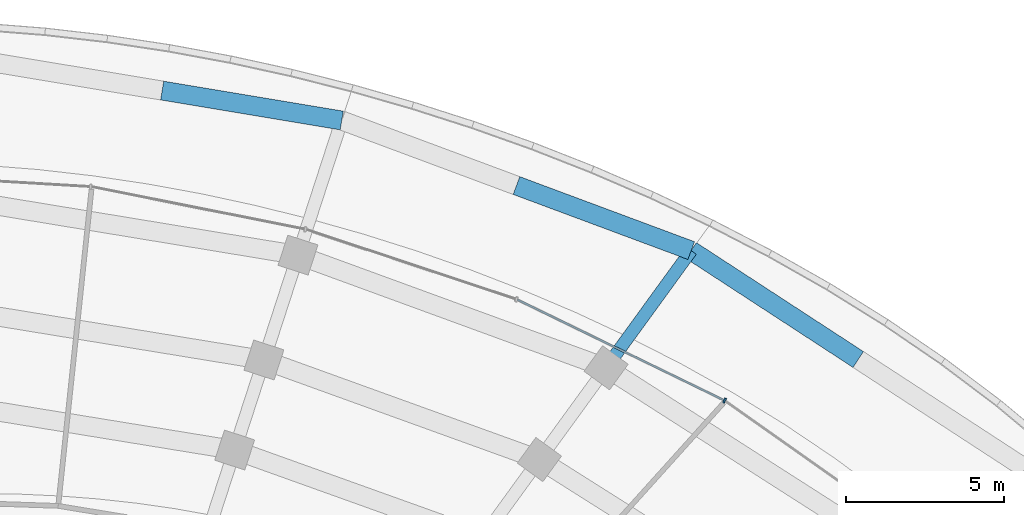
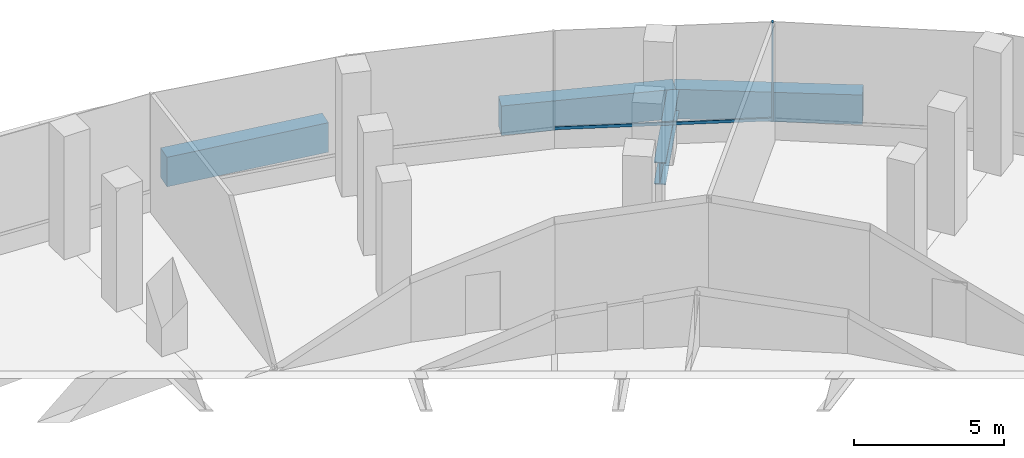
# One storey, part 18 of 31: 4 beams, 2 members, 1 element without a shape of its own.
"""IFC4 building model written with IfcOpenShell, lengths in metres."""

from ifc_helpers import new_model, si_unit, direction, frame, origin, origin_2d, place, context, subcontext, project, spatial, rectangle, i_section, extrude, material, material_profile, profile_set, type_object, element, aggregate, save


model = new_model("IFC4")

# Units and contexts
model_context = context("Model", 3, precision=1e-05, world=origin(), true_north=direction((0.0, 1.0)))
body_context = subcontext(model_context, "Body", "Model", "MODEL_VIEW")
ifc_project = project(units=[si_unit("LENGTHUNIT", "METRE"), si_unit("AREAUNIT", "SQUARE_METRE"), si_unit("VOLUMEUNIT", "CUBIC_METRE"), si_unit("PLANEANGLEUNIT", "RADIAN"), si_unit("MASSUNIT", "GRAM", prefix="KILO")], contexts=[model_context])

# Site, building, storey
site_placement = place(None, origin())
site = spatial("IfcSite", under=ifc_project, at=site_placement, CompositionType="ELEMENT")
building_placement = place(site_placement, origin())
building = spatial("IfcBuilding", under=site, at=building_placement, Name="Marramba Exchange Tower", CompositionType="ELEMENT")
storey_placement = place(building_placement, frame((0.0, 0.0, 5.60009765625)))
storey = spatial("IfcBuildingStorey", under=building, at=storey_placement, Name="L01", CompositionType="ELEMENT", Elevation=5.60009765625)

# Beams
ifc_material_1 = material(Name="Concrete N50", Category="concrete")
ifc_material_profile_1 = material_profile(ifc_material_1, rectangle(XDim=0.60009765625, YDim=1.199951171875, at=origin_2d()), Name="RC 600x1200")
ifc_profile_set_1 = profile_set([ifc_material_profile_1], Name="Concrete N50")
beam_type_1 = type_object("IfcBeamType", Name="Edge beam RC 600x1200 N50", PredefinedType="SPANDREL", material=ifc_profile_set_1)
beam_1_placement = place(storey_placement, frame((27.655029296875, 27.364013671875, -0.85009765625), z_axis=(-0.8377200998, 0.546099839216, 0.0), x_axis=(-0.546099839216, -0.8377200998, 0.0)))
element("IfcBeam", 1, at=beam_1_placement, inside=storey, type_object=beam_type_1, Name="Edge beam L01 P0C03 half 2", PredefinedType="SPANDREL", context=body_context, shape_type="SweptSolid", body=[
    extrude(rectangle(XDim=0.60009765625, YDim=1.199951171875, at=origin_2d()), origin(), (0.0, 0.0, 1.0), 6.29736328125),
])
beam_2_placement = place(storey_placement, frame((22.379638671875, 30.802978515625, -0.85009765625), z_axis=(-0.937168261872, 0.348877699115, 0.0), x_axis=(-0.348877699115, -0.937168261872, 0.0)))
element("IfcBeam", 2, at=beam_2_placement, inside=storey, type_object=beam_type_1, Name="Edge beam L01 P0C04 half 1", PredefinedType="SPANDREL", context=body_context, shape_type="SweptSolid", body=[
    extrude(rectangle(XDim=0.60009765625, YDim=1.199951171875, at=origin_2d()), origin(), (0.0, 0.0, 1.0), 5.887939453125),
])
beam_3_placement = place(storey_placement, frame((11.343505859375, 34.911376953125, -0.85009765625), z_axis=(-0.986421451353, 0.164233736821, 0.0), x_axis=(-0.164233736821, -0.986421451353, 0.0)))
element("IfcBeam", 3, at=beam_3_placement, inside=storey, type_object=beam_type_1, Name="Edge beam L01 P0C05 half 1", PredefinedType="SPANDREL", context=body_context, shape_type="SweptSolid", body=[
    extrude(rectangle(XDim=0.60009765625, YDim=1.199951171875, at=origin_2d()), origin(), (0.0, 0.0, 1.0), 5.75),
])

# Curtain wall, members
ifc_material_2 = material(Name="Aluminium framing, bronze anodised", Category="aluminium")
curtain_wall_type = type_object("IfcCurtainWallType", Name="Podium ribbon curtain wall", PredefinedType="USERDEFINED", material=ifc_material_2)
curtain_wall_placement = place(storey_placement, origin())
curtain_wall = element("IfcCurtainWall", 4, at=curtain_wall_placement, inside=storey, type_object=curtain_wall_type, Name="Curtain wall CW2 L01 F02-F05", ObjectType="RIBBON CURTAIN WALL", PredefinedType="USERDEFINED")
ifc_material_3 = material(Name="Aluminium mullion, bronze anodised", Category="aluminium")
ifc_material_profile_2 = material_profile(ifc_material_3, rectangle(XDim=0.159912109375, YDim=0.06005859375, at=origin_2d()), Name="CW2 mullion 60x160")
ifc_profile_set_2 = profile_set([ifc_material_profile_2], Name="Aluminium mullion, bronze anodised")
member_type_1 = type_object("IfcMemberType", Name="Podium ribbon curtain wall mullion", PredefinedType="MULLION", material=ifc_profile_set_2)
member_1_placement = place(storey_placement, frame((23.4326171875, 26.067626953125, 0.7998046875), z_axis=(0.0, 0.0, 1.0), x_axis=(-0.437702394342, -0.899119910794, 0.0)))
member_1 = element("IfcMember", 5, at=member_1_placement, type_object=member_type_1, Name="CW2 mullion 1", PredefinedType="MULLION", context=body_context, shape_type="SweptSolid", body=[
    extrude(rectangle(XDim=0.159912109375, YDim=0.06005859375, at=origin_2d()), origin(), (0.0, 0.0, 1.0), 4.0),
])
ifc_material_4 = material(Name="Aluminium transom, bronze anodised", Category="aluminium")
ifc_material_profile_3 = material_profile(ifc_material_4, rectangle(XDim=0.06005859375, YDim=0.1201171875, at=origin_2d()), Name="CW2 transom 60x120")
ifc_profile_set_3 = profile_set([ifc_material_profile_3], Name="Aluminium transom, bronze anodised")
member_type_2 = type_object("IfcMemberType", Name="Podium ribbon curtain wall transom", PredefinedType="USERDEFINED", material=ifc_profile_set_3)
member_2_placement = place(storey_placement, frame((23.40576171875, 26.080810546875, 0.829833984375), z_axis=(-0.899119736652, 0.437702752063, 0.0), x_axis=(-0.437702752063, -0.899119736652, 0.0)))
member_2 = element("IfcMember", 6, at=member_2_placement, type_object=member_type_2, Name="CW2 sill transom", ObjectType="TRANSOM", PredefinedType="USERDEFINED", context=body_context, shape_type="SweptSolid", body=[
    extrude(rectangle(XDim=0.06005859375, YDim=0.1201171875, at=origin_2d()), origin(), (0.0, 0.0, 1.0), 7.247802734375),
])
aggregate(curtain_wall, [member_1, member_2])

# Beam
ifc_material_5 = material(Name="Steel AS/NZS 3679.2 grade 300", Category="steel")
ifc_material_profile_4 = material_profile(ifc_material_5, i_section(OverallWidth=0.39990234375, OverallDepth=0.89990234375, WebThickness=0.01611328125, FlangeThickness=0.031982421875, at=origin_2d()), Name="900WB282")
ifc_profile_set_4 = profile_set([ifc_material_profile_4], Name="Steel AS/NZS 3679.2 grade 300")
beam_type_2 = type_object("IfcBeamType", Name="Radial girder 900WB282", PredefinedType="BEAM", material=ifc_profile_set_4)
beam_4_placement = place(storey_placement, frame((22.379638671875, 30.802978515625, -0.7001953125), z_axis=(-0.587784362344, -0.809017640959, 0.0), x_axis=(0.809017640959, -0.587784362344, 0.0)))
element("IfcBeam", 7, at=beam_4_placement, inside=storey, type_object=beam_type_2, Name="Radial girder L01 P0C04", PredefinedType="BEAM", context=body_context, shape_type="SweptSolid", body=[
    extrude(i_section(OverallWidth=0.39990234375, OverallDepth=0.89990234375, WebThickness=0.01611328125, FlangeThickness=0.031982421875, at=origin_2d()), origin(), (0.0, 0.0, 1.0), 4.572998046875),
])

save(model, "model.ifc")
